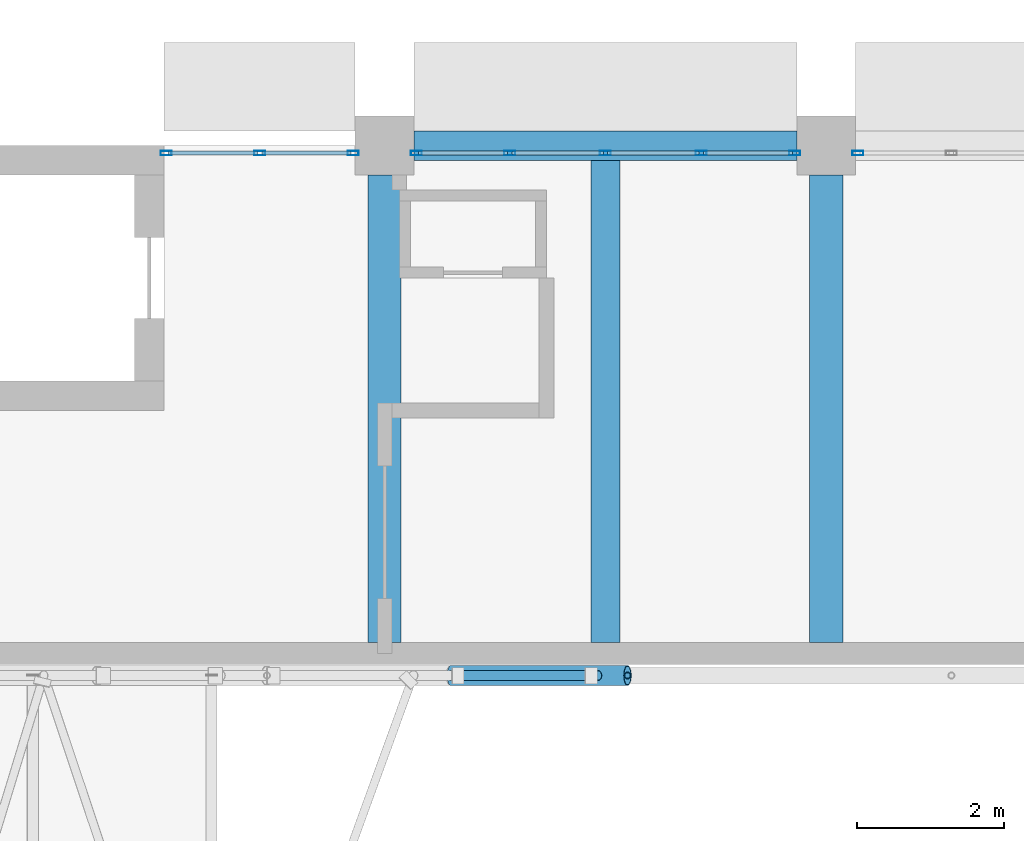
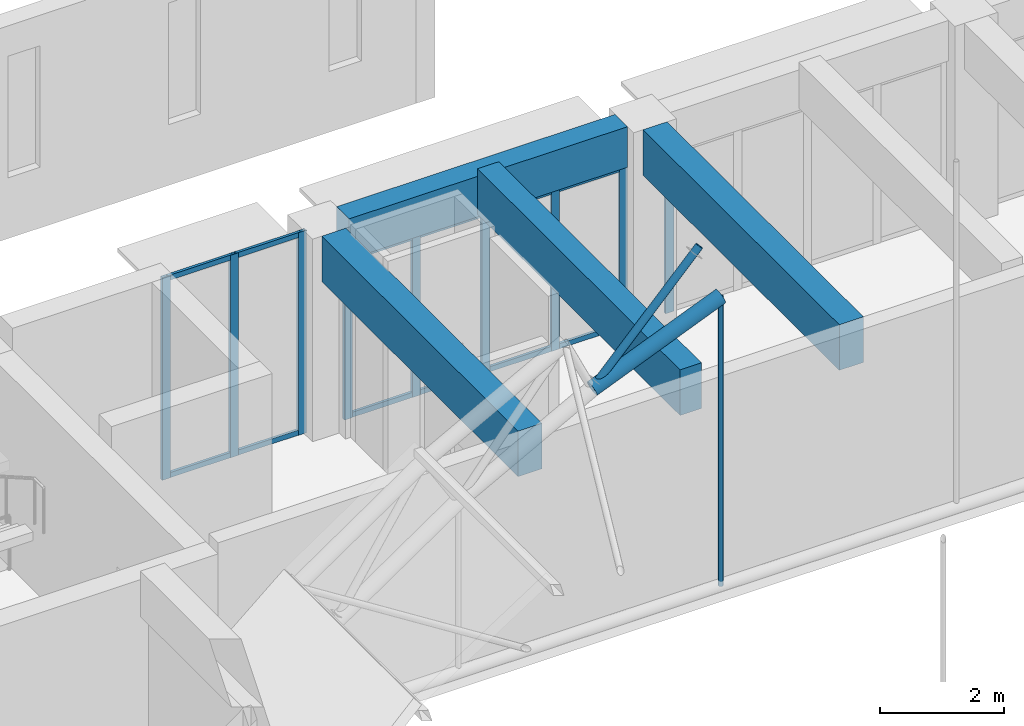
# One storey, part 9 of 101: 24 members, 4 beams, 3 elements without a shape of their own.
"""IFC4 building model written with IfcOpenShell, lengths in metres."""

from ifc_helpers import new_model, si_unit, direction, frame, origin, origin_2d, place, context, subcontext, project, spatial, rectangle, hollow_rectangle, hollow_circle, extrude, material, material_profile, profile_set, type_object, element, aggregate, save


model = new_model("IFC4")

# Units and contexts
model_context = context("Model", 3, precision=1e-05, world=origin(), true_north=direction((0.0, 1.0)))
body_context = subcontext(model_context, "Body", "Model", "MODEL_VIEW")
ifc_project = project(units=[si_unit("LENGTHUNIT", "METRE"), si_unit("AREAUNIT", "SQUARE_METRE"), si_unit("VOLUMEUNIT", "CUBIC_METRE"), si_unit("PLANEANGLEUNIT", "RADIAN"), si_unit("MASSUNIT", "GRAM", prefix="KILO")], contexts=[model_context])

# Site, building, storey
site_placement = place(None, origin())
site = spatial("IfcSite", under=ifc_project, at=site_placement, CompositionType="ELEMENT")
building_placement = place(site_placement, origin())
building = spatial("IfcBuilding", under=site, at=building_placement, Name="Laocheng Heights Fire and Rescue Headquarters", CompositionType="ELEMENT")
storey_placement = place(building_placement, frame((0.0, 0.0, 8.39990234375)))
storey = spatial("IfcBuildingStorey", under=building, at=storey_placement, Name="L02", CompositionType="ELEMENT", Elevation=8.39990234375)

# Curtain wall, members
ifc_material_1 = material(Name="Aluminium unitised curtain wall, low-e double glazing", Category="aluminium")
curtain_wall_type_1 = type_object("IfcCurtainWallType", Name="CW 2600 x 4000 GALLERY UNIT", PredefinedType="NOTDEFINED", material=ifc_material_1)
curtain_wall_1_placement = place(storey_placement, origin())
curtain_wall_1 = element("IfcCurtainWall", 1, at=curtain_wall_1_placement, inside=storey, type_object=curtain_wall_type_1, Name="Gallery north glazing L02", PredefinedType="NOTDEFINED")
ifc_material_2 = material(Name="Aluminium 6063-T5 extrusion", Category="aluminium")
ifc_material_profile_1 = material_profile(ifc_material_2, hollow_rectangle(XDim=0.06005859375, YDim=0.14990234375, WallThickness=0.0029296875, at=origin_2d()), Name="AL MULLION 150x60x3")
ifc_profile_set_1 = profile_set([ifc_material_profile_1], Name="Aluminium 6063-T5 extrusion")
member_type_1 = type_object("IfcMemberType", Name="AL CURTAIN WALL MULLION 150x60x3", PredefinedType="MULLION", material=ifc_profile_set_1)
member_1_placement = place(storey_placement, frame((21.030029296875, 28.699951171875, 0.0), z_axis=(0.0, 0.0, 1.0), x_axis=(0.0, 1.0, 0.0)))
member_1 = element("IfcMember", 2, at=member_1_placement, type_object=member_type_1, Name="X3-E mullion 1", PredefinedType="MULLION", context=body_context, shape_type="SweptSolid", body=[
    extrude(hollow_rectangle(XDim=0.06005859375, YDim=0.14990234375, WallThickness=0.0029296875, at=origin_2d()), origin(), (0.0, 0.0, 1.0), 4.0),
])
member_2_placement = place(storey_placement, frame((22.300048828125, 28.699951171875, 0.0), z_axis=(0.0, 0.0, 1.0), x_axis=(0.0, 1.0, 0.0)))
member_2 = element("IfcMember", 3, at=member_2_placement, type_object=member_type_1, Name="X3-E mullion 2", PredefinedType="MULLION", context=body_context, shape_type="SweptSolid", body=[
    extrude(hollow_rectangle(XDim=0.06005859375, YDim=0.14990234375, WallThickness=0.0029296875, at=origin_2d()), origin(), (0.0, 0.0, 1.0), 4.0),
])
member_3_placement = place(storey_placement, frame((23.570068359375, 28.699951171875, 0.0), z_axis=(0.0, 0.0, 1.0), x_axis=(0.0, 1.0, 0.0)))
member_3 = element("IfcMember", 4, at=member_3_placement, type_object=member_type_1, Name="X3-E mullion 3", PredefinedType="MULLION", context=body_context, shape_type="SweptSolid", body=[
    extrude(hollow_rectangle(XDim=0.06005859375, YDim=0.14990234375, WallThickness=0.0029296875, at=origin_2d()), origin(), (0.0, 0.0, 1.0), 4.0),
])

ifc_material_3 = material(Name="Aluminium unitised curtain wall, low-e double glazing", Category="aluminium")
curtain_wall_type_2 = type_object("IfcCurtainWallType", Name="CW 5200 x 3200 GALLERY UNIT", PredefinedType="NOTDEFINED", material=ifc_material_3)
curtain_wall_2_placement = place(storey_placement, origin())
curtain_wall_2 = element("IfcCurtainWall", 5, at=curtain_wall_2_placement, inside=storey, type_object=curtain_wall_type_2, Name="Gallery north glazing L02", PredefinedType="NOTDEFINED")
member_4_placement = place(storey_placement, frame((24.429931640625, 28.699951171875, 0.0), z_axis=(0.0, 0.0, 1.0), x_axis=(0.0, 1.0, 0.0)))
member_4 = element("IfcMember", 6, at=member_4_placement, type_object=member_type_1, Name="X4-E mullion 1", PredefinedType="MULLION", context=body_context, shape_type="SweptSolid", body=[
    extrude(hollow_rectangle(XDim=0.06005859375, YDim=0.14990234375, WallThickness=0.0029296875, at=origin_2d()), origin(), (0.0, 0.0, 1.0), 3.2001953125),
])
member_5_placement = place(storey_placement, frame((25.699951171875, 28.699951171875, 0.0), z_axis=(0.0, 0.0, 1.0), x_axis=(0.0, 1.0, 0.0)))
member_5 = element("IfcMember", 7, at=member_5_placement, type_object=member_type_1, Name="X4-E mullion 2", PredefinedType="MULLION", context=body_context, shape_type="SweptSolid", body=[
    extrude(hollow_rectangle(XDim=0.06005859375, YDim=0.14990234375, WallThickness=0.0029296875, at=origin_2d()), origin(), (0.0, 0.0, 1.0), 3.2001953125),
])
member_6_placement = place(storey_placement, frame((27.0, 28.699951171875, 0.0), z_axis=(0.0, 0.0, 1.0), x_axis=(0.0, 1.0, 0.0)))
member_6 = element("IfcMember", 8, at=member_6_placement, type_object=member_type_1, Name="X4-E mullion 3", PredefinedType="MULLION", context=body_context, shape_type="SweptSolid", body=[
    extrude(hollow_rectangle(XDim=0.06005859375, YDim=0.14990234375, WallThickness=0.0029296875, at=origin_2d()), origin(), (0.0, 0.0, 1.0), 3.2001953125),
])
member_7_placement = place(storey_placement, frame((28.300048828125, 28.699951171875, 0.0), z_axis=(0.0, 0.0, 1.0), x_axis=(0.0, 1.0, 0.0)))
member_7 = element("IfcMember", 9, at=member_7_placement, type_object=member_type_1, Name="X4-E mullion 4", PredefinedType="MULLION", context=body_context, shape_type="SweptSolid", body=[
    extrude(hollow_rectangle(XDim=0.06005859375, YDim=0.14990234375, WallThickness=0.0029296875, at=origin_2d()), origin(), (0.0, 0.0, 1.0), 3.2001953125),
])
member_8_placement = place(storey_placement, frame((29.570068359375, 28.699951171875, 0.0), z_axis=(0.0, 0.0, 1.0), x_axis=(0.0, 1.0, 0.0)))
member_8 = element("IfcMember", 10, at=member_8_placement, type_object=member_type_1, Name="X4-E mullion 5", PredefinedType="MULLION", context=body_context, shape_type="SweptSolid", body=[
    extrude(hollow_rectangle(XDim=0.06005859375, YDim=0.14990234375, WallThickness=0.0029296875, at=origin_2d()), origin(), (0.0, 0.0, 1.0), 3.2001953125),
])

# Curtain wall, member
curtain_wall_3_placement = place(storey_placement, origin())
curtain_wall_3 = element("IfcCurtainWall", 11, at=curtain_wall_3_placement, inside=storey, type_object=curtain_wall_type_2, Name="Gallery north glazing L02", PredefinedType="NOTDEFINED")
member_9_placement = place(storey_placement, frame((30.429931640625, 28.699951171875, 0.0), z_axis=(0.0, 0.0, 1.0), x_axis=(0.0, 1.0, 0.0)))
member_9 = element("IfcMember", 12, at=member_9_placement, type_object=member_type_1, Name="X4-E mullion 1", PredefinedType="MULLION", context=body_context, shape_type="SweptSolid", body=[
    extrude(hollow_rectangle(XDim=0.06005859375, YDim=0.14990234375, WallThickness=0.0029296875, at=origin_2d()), origin(), (0.0, 0.0, 1.0), 3.2001953125),
])
aggregate(curtain_wall_3, [member_9])

# Member
ifc_material_4 = material(Name="Aluminium 6063-T5 extrusion", Category="aluminium")
ifc_material_profile_2 = material_profile(ifc_material_4, hollow_rectangle(XDim=0.050048828125, YDim=0.10009765625, WallThickness=0.0029296875, at=origin_2d()), Name="AL TRANSOM 100x50x3")
ifc_profile_set_2 = profile_set([ifc_material_profile_2], Name="Aluminium 6063-T5 extrusion")
member_type_2 = type_object("IfcMemberType", Name="AL CURTAIN WALL TRANSOM 100x50x3", PredefinedType="USERDEFINED", material=ifc_profile_set_2)
member_10_placement = place(storey_placement, frame((21.06005859375, 28.699951171875, 0.050048828125), z_axis=(1.0, 0.0, 0.0), x_axis=(0.0, 1.0, 0.0)))
member_10 = element("IfcMember", 13, at=member_10_placement, type_object=member_type_2, Name="X3-E transom 1.1", ObjectType="TRANSOM", PredefinedType="USERDEFINED", context=body_context, shape_type="SweptSolid", body=[
    extrude(hollow_rectangle(XDim=0.050048828125, YDim=0.10009765625, WallThickness=0.0029296875, at=origin_2d()), origin(), (0.0, 0.0, 1.0), 1.2099609375),
])

member_11_placement = place(storey_placement, frame((21.06005859375, 28.699951171875, 3.9501953125), z_axis=(1.0, 0.0, 0.0), x_axis=(0.0, 1.0, 0.0)))
member_11 = element("IfcMember", 14, at=member_11_placement, type_object=member_type_2, Name="X3-E transom 1.2", ObjectType="TRANSOM", PredefinedType="USERDEFINED", context=body_context, shape_type="SweptSolid", body=[
    extrude(hollow_rectangle(XDim=0.050048828125, YDim=0.10009765625, WallThickness=0.0029296875, at=origin_2d()), origin(), (0.0, 0.0, 1.0), 1.2099609375),
])

member_12_placement = place(storey_placement, frame((22.330078125, 28.699951171875, 0.050048828125), z_axis=(1.0, 0.0, 0.0), x_axis=(0.0, 1.0, 0.0)))
member_12 = element("IfcMember", 15, at=member_12_placement, type_object=member_type_2, Name="X3-E transom 2.1", ObjectType="TRANSOM", PredefinedType="USERDEFINED", context=body_context, shape_type="SweptSolid", body=[
    extrude(hollow_rectangle(XDim=0.050048828125, YDim=0.10009765625, WallThickness=0.0029296875, at=origin_2d()), origin(), (0.0, 0.0, 1.0), 1.2099609375),
])

member_13_placement = place(storey_placement, frame((22.330078125, 28.699951171875, 3.9501953125), z_axis=(1.0, 0.0, 0.0), x_axis=(0.0, 1.0, 0.0)))
member_13 = element("IfcMember", 16, at=member_13_placement, type_object=member_type_2, Name="X3-E transom 2.2", ObjectType="TRANSOM", PredefinedType="USERDEFINED", context=body_context, shape_type="SweptSolid", body=[
    extrude(hollow_rectangle(XDim=0.050048828125, YDim=0.10009765625, WallThickness=0.0029296875, at=origin_2d()), origin(), (0.0, 0.0, 1.0), 1.2099609375),
])

aggregate(curtain_wall_1, [member_1, member_2, member_3, member_10, member_11, member_12, member_13])

member_14_placement = place(storey_placement, frame((24.4599609375, 28.699951171875, 0.050048828125), z_axis=(1.0, 0.0, 0.0), x_axis=(0.0, 1.0, 0.0)))
member_14 = element("IfcMember", 17, at=member_14_placement, type_object=member_type_2, Name="X4-E transom 1.1", ObjectType="TRANSOM", PredefinedType="USERDEFINED", context=body_context, shape_type="SweptSolid", body=[
    extrude(hollow_rectangle(XDim=0.050048828125, YDim=0.10009765625, WallThickness=0.0029296875, at=origin_2d()), origin(), (0.0, 0.0, 1.0), 1.2099609375),
])

member_15_placement = place(storey_placement, frame((24.4599609375, 28.699951171875, 3.150146484375), z_axis=(1.0, 0.0, 0.0), x_axis=(0.0, 1.0, 0.0)))
member_15 = element("IfcMember", 18, at=member_15_placement, type_object=member_type_2, Name="X4-E transom 1.2", ObjectType="TRANSOM", PredefinedType="USERDEFINED", context=body_context, shape_type="SweptSolid", body=[
    extrude(hollow_rectangle(XDim=0.050048828125, YDim=0.10009765625, WallThickness=0.0029296875, at=origin_2d()), origin(), (0.0, 0.0, 1.0), 1.2099609375),
])

member_16_placement = place(storey_placement, frame((25.72998046875, 28.699951171875, 0.050048828125), z_axis=(1.0, 0.0, 0.0), x_axis=(0.0, 1.0, 0.0)))
member_16 = element("IfcMember", 19, at=member_16_placement, type_object=member_type_2, Name="X4-E transom 2.1", ObjectType="TRANSOM", PredefinedType="USERDEFINED", context=body_context, shape_type="SweptSolid", body=[
    extrude(hollow_rectangle(XDim=0.050048828125, YDim=0.10009765625, WallThickness=0.0029296875, at=origin_2d()), origin(), (0.0, 0.0, 1.0), 1.239990234375),
])

member_17_placement = place(storey_placement, frame((25.72998046875, 28.699951171875, 3.150146484375), z_axis=(1.0, 0.0, 0.0), x_axis=(0.0, 1.0, 0.0)))
member_17 = element("IfcMember", 20, at=member_17_placement, type_object=member_type_2, Name="X4-E transom 2.2", ObjectType="TRANSOM", PredefinedType="USERDEFINED", context=body_context, shape_type="SweptSolid", body=[
    extrude(hollow_rectangle(XDim=0.050048828125, YDim=0.10009765625, WallThickness=0.0029296875, at=origin_2d()), origin(), (0.0, 0.0, 1.0), 1.239990234375),
])

member_18_placement = place(storey_placement, frame((27.030029296875, 28.699951171875, 0.050048828125), z_axis=(1.0, 0.0, 0.0), x_axis=(0.0, 1.0, 0.0)))
member_18 = element("IfcMember", 21, at=member_18_placement, type_object=member_type_2, Name="X4-E transom 3.1", ObjectType="TRANSOM", PredefinedType="USERDEFINED", context=body_context, shape_type="SweptSolid", body=[
    extrude(hollow_rectangle(XDim=0.050048828125, YDim=0.10009765625, WallThickness=0.0029296875, at=origin_2d()), origin(), (0.0, 0.0, 1.0), 1.239990234375),
])

member_19_placement = place(storey_placement, frame((27.030029296875, 28.699951171875, 3.150146484375), z_axis=(1.0, 0.0, 0.0), x_axis=(0.0, 1.0, 0.0)))
member_19 = element("IfcMember", 22, at=member_19_placement, type_object=member_type_2, Name="X4-E transom 3.2", ObjectType="TRANSOM", PredefinedType="USERDEFINED", context=body_context, shape_type="SweptSolid", body=[
    extrude(hollow_rectangle(XDim=0.050048828125, YDim=0.10009765625, WallThickness=0.0029296875, at=origin_2d()), origin(), (0.0, 0.0, 1.0), 1.239990234375),
])

member_20_placement = place(storey_placement, frame((28.330078125, 28.699951171875, 0.050048828125), z_axis=(1.0, 0.0, 0.0), x_axis=(0.0, 1.0, 0.0)))
member_20 = element("IfcMember", 23, at=member_20_placement, type_object=member_type_2, Name="X4-E transom 4.1", ObjectType="TRANSOM", PredefinedType="USERDEFINED", context=body_context, shape_type="SweptSolid", body=[
    extrude(hollow_rectangle(XDim=0.050048828125, YDim=0.10009765625, WallThickness=0.0029296875, at=origin_2d()), origin(), (0.0, 0.0, 1.0), 1.2099609375),
])

member_21_placement = place(storey_placement, frame((28.330078125, 28.699951171875, 3.150146484375), z_axis=(1.0, 0.0, 0.0), x_axis=(0.0, 1.0, 0.0)))
member_21 = element("IfcMember", 24, at=member_21_placement, type_object=member_type_2, Name="X4-E transom 4.2", ObjectType="TRANSOM", PredefinedType="USERDEFINED", context=body_context, shape_type="SweptSolid", body=[
    extrude(hollow_rectangle(XDim=0.050048828125, YDim=0.10009765625, WallThickness=0.0029296875, at=origin_2d()), origin(), (0.0, 0.0, 1.0), 1.2099609375),
])

aggregate(curtain_wall_2, [member_4, member_5, member_6, member_7, member_8, member_14, member_15, member_16, member_17, member_18, member_19, member_20, member_21])

# Members
ifc_material_5 = material(Name="Steel Q355B", Category="steel")
ifc_material_profile_3 = material_profile(ifc_material_5, hollow_circle(Radius=0.136474609375, WallThickness=0.011962890625, at=origin_2d()), Name="CHS 273x12")
ifc_profile_set_3 = profile_set([ifc_material_profile_3], Name="Steel Q355B")
member_type_3 = type_object("IfcMemberType", Name="BAY ROOF CHORD CHS 273x12", PredefinedType="CHORD", material=ifc_profile_set_3)
member_22_placement = place(storey_placement, frame((24.89990234375, 21.60009765625, 4.72216796875), z_axis=(0.925143196913, 0.0, 0.379618315161), x_axis=(0.0, 1.0, 0.0)))
element("IfcMember", 25, at=member_22_placement, inside=storey, type_object=member_type_3, Name="Truss TR4 lower chord 04", PredefinedType="CHORD", context=body_context, shape_type="SweptSolid", body=[
    extrude(hollow_circle(Radius=0.136474609375, WallThickness=0.011962890625, at=origin_2d()), origin(), (0.0, 0.0, 1.0), 2.59423828125),
])
ifc_material_6 = material(Name="Steel Q355B", Category="steel")
ifc_material_profile_4 = material_profile(ifc_material_6, hollow_circle(Radius=0.06982421875, WallThickness=0.006103515625, at=origin_2d()), Name="CHS 139.7x6")
ifc_profile_set_4 = profile_set([ifc_material_profile_4], Name="Steel Q355B")
member_type_4 = type_object("IfcMemberType", Name="BAY ROOF DIAG CHS 139.7x6", PredefinedType="BRACE", material=ifc_profile_set_4)
member_23_placement = place(storey_placement, frame((24.89990234375, 21.60009765625, 4.72216796875), z_axis=(0.686744141794, 0.0, 0.72689922528), x_axis=(0.0, 1.0, 0.0)))
element("IfcMember", 26, at=member_23_placement, inside=storey, type_object=member_type_4, Name="Truss diagonal TR4-04", PredefinedType="BRACE", context=body_context, shape_type="SweptSolid", body=[
    extrude(hollow_circle(Radius=0.06982421875, WallThickness=0.006103515625, at=origin_2d()), origin(), (0.0, 0.0, 1.0), 2.912353515625),
])
ifc_material_7 = material(Name="Steel Q355B", Category="steel")
ifc_material_profile_5 = material_profile(ifc_material_7, hollow_circle(Radius=0.04443359375, WallThickness=0.0048828125, at=origin_2d()), Name="CHS 88.9x5")
ifc_profile_set_5 = profile_set([ifc_material_profile_5], Name="Steel Q355B")
member_type_5 = type_object("IfcMemberType", Name="BAY ROOF HANGER CHS 88.9x5", PredefinedType="POST", material=ifc_profile_set_5)
member_24_placement = place(storey_placement, frame((27.300048828125, 21.60009765625, 0.0), z_axis=(0.0, 0.0, 1.0), x_axis=(1.0, 0.0, 0.0)))
element("IfcMember", 27, at=member_24_placement, inside=storey, type_object=member_type_5, Name="Truss TR4 hanger 04", PredefinedType="POST", context=body_context, shape_type="SweptSolid", body=[
    extrude(hollow_circle(Radius=0.04443359375, WallThickness=0.0048828125, at=origin_2d()), origin(), (0.0, 0.0, 1.0), 5.70703125),
])

# Beams
ifc_material_8 = material(Name="Concrete C40", Category="concrete")
ifc_material_profile_6 = material_profile(ifc_material_8, rectangle(XDim=0.39990234375, YDim=0.800048828125, at=origin_2d()), Name="RC BEAM 400x800 GALLERY FLOOR")
ifc_profile_set_6 = profile_set([ifc_material_profile_6], Name="Concrete C40")
beam_type_1 = type_object("IfcBeamType", Name="RC BEAM 400x800 GALLERY FLOOR", PredefinedType="BEAM", material=ifc_profile_set_6)
beam_1_placement = place(storey_placement, frame((24.39990234375, 28.800048828125, 3.60009765625), z_axis=(1.0, 0.0, 0.0), x_axis=(0.0, 1.0, 0.0)))
element("IfcBeam", 28, at=beam_1_placement, inside=storey, type_object=beam_type_1, Name="Gallery floor beam", PredefinedType="BEAM", context=body_context, shape_type="SweptSolid", body=[
    extrude(rectangle(XDim=0.39990234375, YDim=0.800048828125, at=origin_2d()), origin(), (0.0, 0.0, 1.0), 5.2001953125),
])
ifc_material_9 = material(Name="Concrete C50", Category="concrete")
ifc_material_profile_7 = material_profile(ifc_material_9, rectangle(XDim=0.39990234375, YDim=0.89990234375, at=origin_2d()), Name="RC BEAM 400x900 TRANSFER SECONDARY")
ifc_profile_set_7 = profile_set([ifc_material_profile_7], Name="Concrete C50")
beam_type_2 = type_object("IfcBeamType", Name="RC BEAM 400x900 TRANSFER SECONDARY", PredefinedType="BEAM", material=ifc_profile_set_7)
beam_2_placement = place(storey_placement, frame((27.0, 22.050048828125, 3.7001953125), z_axis=(0.0, 1.0, 0.0), x_axis=(-1.0, 0.0, 0.0)))
element("IfcBeam", 29, at=beam_2_placement, inside=storey, type_object=beam_type_2, Name="Gallery secondary beam", PredefinedType="BEAM", context=body_context, shape_type="SweptSolid", body=[
    extrude(rectangle(XDim=0.39990234375, YDim=0.89990234375, at=origin_2d()), origin(), (0.0, 0.0, 1.0), 6.550048828125),
])
ifc_material_10 = material(Name="Concrete C40", Category="concrete")
ifc_material_profile_8 = material_profile(ifc_material_10, rectangle(XDim=0.449951171875, YDim=0.89990234375, at=origin_2d()), Name="RC BEAM 450x900 GALLERY FLOOR")
ifc_profile_set_8 = profile_set([ifc_material_profile_8], Name="Concrete C40")
beam_type_3 = type_object("IfcBeamType", Name="RC BEAM 450x900 GALLERY FLOOR", PredefinedType="BEAM", material=ifc_profile_set_8)
for number, where, z_axis, x_axis, name in (
    (30, (24.0, 22.050048828125, 3.550048828125), (0.0, 1.0, 0.0), (-1.0, 0.0, 0.0), "Gallery beam on south wall"),
    (31, (30.0, 22.050048828125, 3.550048828125), (0.0, 1.0, 0.0), (-1.0, 0.0, 0.0), "Gallery beam on south wall"),
):
    element("IfcBeam", number, at=place(storey_placement, frame(where, z_axis=z_axis, x_axis=x_axis)), inside=storey, type_object=beam_type_3, Name=name, PredefinedType="BEAM", context=body_context, shape_type="SweptSolid", body=[
        extrude(rectangle(XDim=0.449951171875, YDim=0.89990234375, at=origin_2d()), origin(), (0.0, 0.0, 1.0), 6.349853515625),
    ])

save(model, "model.ifc")
